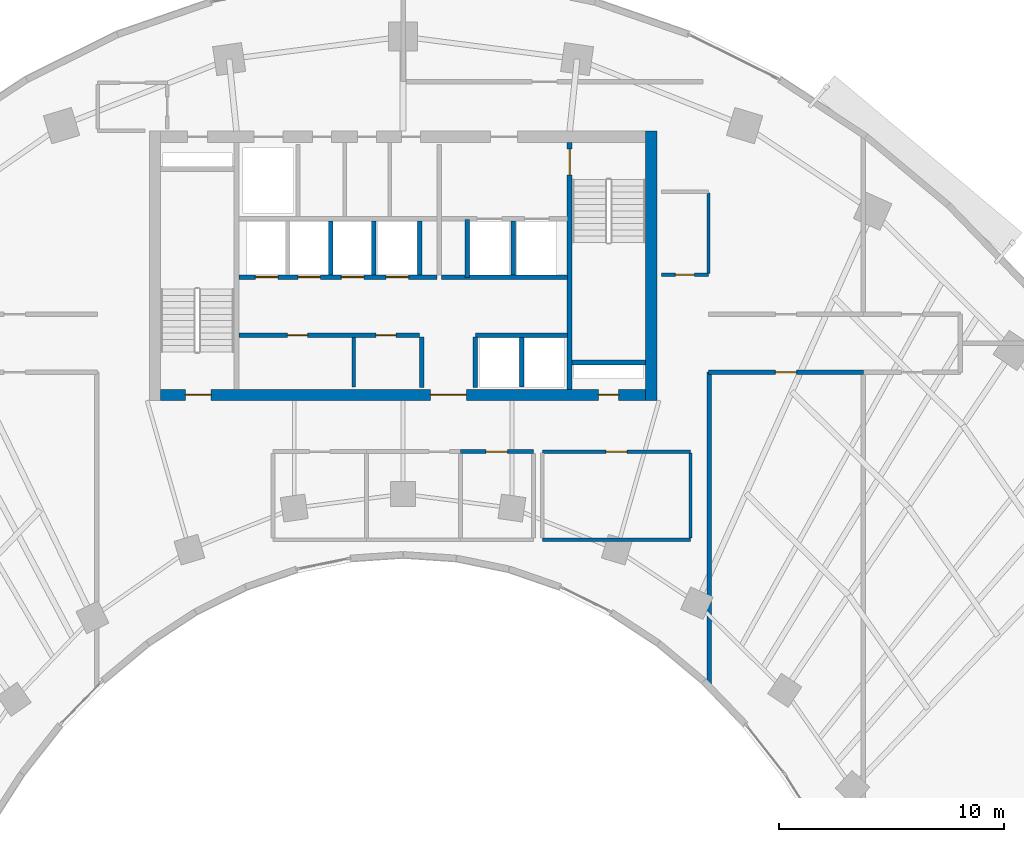
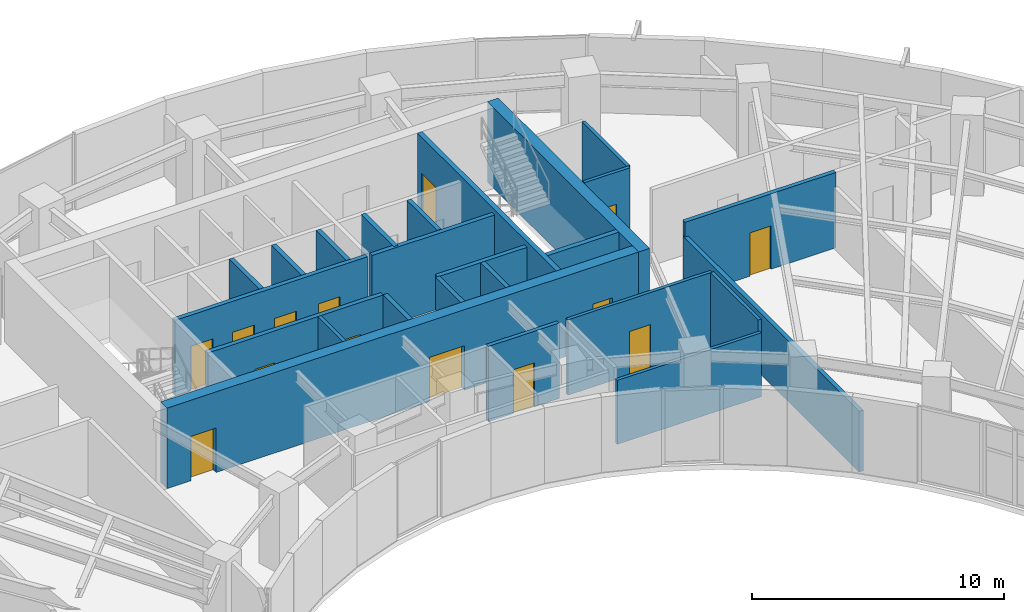
# One storey, part 9 of 14: 25 walls, 14 doors, 14 openings.
"""IFC4 building model written with IfcOpenShell, lengths in metres."""

from ifc_helpers import new_model, si_unit, direction, frame, frame_2d, origin, place, context, subcontext, project, spatial, rectangle, extrude, source, transform, mapped, material, layer, layer_set, type_object, type_shapes, element, fill, save


model = new_model("IFC4")

# Units and contexts
model_context = context("Model", 3, precision=1e-05, world=origin(), true_north=direction((0.0, 1.0)))
body_context = subcontext(model_context, "Body", "Model", "MODEL_VIEW")
ifc_project = project(units=[si_unit("LENGTHUNIT", "METRE"), si_unit("AREAUNIT", "SQUARE_METRE"), si_unit("VOLUMEUNIT", "CUBIC_METRE"), si_unit("PLANEANGLEUNIT", "RADIAN"), si_unit("MASSUNIT", "GRAM", prefix="KILO")], contexts=[model_context])

# Site, building, storey
site_placement = place(None, origin())
site = spatial("IfcSite", under=ifc_project, at=site_placement, CompositionType="ELEMENT")
building_placement = place(site_placement, origin())
building = spatial("IfcBuilding", under=site, at=building_placement, Name="Breltana Convention Tower", CompositionType="ELEMENT")
storey_placement = place(building_placement, frame((0.0, 0.0, 111.60009765625)))
storey = spatial("IfcBuildingStorey", under=building, at=storey_placement, Name="L26", CompositionType="ELEMENT", Elevation=111.60009765625)

# Wall
ifc_material_1 = material(Name="Concrete C60/75", Category="concrete")
ifc_layer_1 = layer(ifc_material_1, 0.5, Name="Concrete C60/75")
ifc_layer_set_1 = layer_set([ifc_layer_1], Name="Concrete C60/75")
wall_type_1 = type_object("IfcWallType", Name="SW-CORE-500", PredefinedType="SHEAR", material=ifc_layer_set_1)
shared_shape_1 = source(origin(), body_context, "Body", "SweptSolid", [
    extrude(rectangle(XDim=12.0, YDim=0.5, at=frame_2d((6.0, 0.0))), origin(), (0.0, 0.0, 1.0), 3.89990234375),
])
wall_1_placement = place(storey_placement, frame((59.050048828125, 60.199951171875, 0.0), z_axis=(0.0, 0.0, 1.0), x_axis=(0.0, 1.0, 0.0)))
element("IfcWall", 1, at=wall_1_placement, inside=storey, type_object=wall_type_1, Name="L26 East Core Shear Wall", PredefinedType="SHEAR", context=body_context, shape_type="MappedRepresentation", body=[
    mapped(shared_shape_1, transform((0.0, 0.0, 0.0), scale=1.0)),
])

# Wall, openings, doors
shared_shape_2 = source(origin(), body_context, "Body", "SweptSolid", [
    extrude(rectangle(XDim=21.60009765625, YDim=0.5, at=frame_2d((10.800048828125, 0.0))), origin(), (0.0, 0.0, 1.0), 3.89990234375),
])
wall_2_placement = place(storey_placement, frame((37.199951171875, 60.449951171875, 0.0), z_axis=(0.0, 0.0, 1.0), x_axis=(1.0, 0.0, 0.0)))
wall_2 = element("IfcWall", 2, at=wall_2_placement, inside=storey, type_object=wall_type_1, Name="L26 South Core Shear Wall", PredefinedType="SHEAR", context=body_context, shape_type="MappedRepresentation", body=[
    mapped(shared_shape_2, transform((0.0, 0.0, 0.0), scale=1.0)),
])
opening_1_placement = place(wall_2_placement, frame((1.10009765625, 0.0, 0.0)))
opening_1 = element("IfcOpeningElement", 3, at=opening_1_placement, cuts=wall_2, Name="Opening D-11", PredefinedType="OPENING", context=body_context, shape_type="SweptSolid", body=[
    extrude(rectangle(XDim=1.14990234375, YDim=2.14990234375, at=frame_2d((0.574951171875, 1.074951171875))), frame((0.0, 0.260009765625, 0.0), z_axis=(0.0, -1.0, 0.0), x_axis=(1.0, 0.0, 0.0)), (0.0, 0.0, 1.0), 0.52001953125),
])
opening_2_placement = place(wall_2_placement, frame((19.5, 0.0, 0.0)))
opening_2 = element("IfcOpeningElement", 4, at=opening_2_placement, cuts=wall_2, Name="Opening D-18", PredefinedType="OPENING", context=body_context, shape_type="SweptSolid", body=[
    extrude(rectangle(XDim=0.89990234375, YDim=2.10009765625, at=frame_2d((0.449951171875, 1.050048828125))), frame((0.0, 0.260009765625, 0.0), z_axis=(0.0, -1.0, 0.0), x_axis=(1.0, 0.0, 0.0)), (0.0, 0.0, 1.0), 0.52001953125),
])
opening_3_placement = place(wall_2_placement, frame((12.02001953125, 0.0, 0.0)))
opening_3 = element("IfcOpeningElement", 5, at=opening_3_placement, cuts=wall_2, Name="Opening D-02", PredefinedType="OPENING", context=body_context, shape_type="SweptSolid", body=[
    extrude(rectangle(XDim=1.60009765625, YDim=2.14990234375, at=frame_2d((0.800048828125, 1.074951171875))), frame((0.0, 0.260009765625, 0.0), z_axis=(0.0, -1.0, 0.0), x_axis=(1.0, 0.0, 0.0)), (0.0, 0.0, 1.0), 0.52001953125),
])
ifc_material_2 = material(Name="Steel Stair Exit Door", Category="steel")
door_type_1 = type_object("IfcDoorType", Name="DR-FD120-1150", OperationType="NOTDEFINED", PredefinedType="DOOR", material=ifc_material_2)
shared_shape_3 = source(origin(), body_context, "Body", "SweptSolid", [
    extrude(rectangle(XDim=1.14990234375, YDim=2.14990234375, at=frame_2d((0.574951171875, 1.074951171875))), frame((0.0, 0.02490234375, 0.0), z_axis=(0.0, -1.0, 0.0), x_axis=(1.0, 0.0, 0.0)), (0.0, 0.0, 1.0), 0.050048828125),
])
type_shapes(door_type_1, [shared_shape_3])
door_1_placement = place(opening_1_placement, origin())
door_1 = element("IfcDoor", 6, at=door_1_placement, inside=storey, type_object=door_type_1, Name="L26 interior door D-L26-ST1", OperationType="SINGLE_SWING_LEFT", OverallHeight=2.14990234375, OverallWidth=1.14990234375, PredefinedType="DOOR", context=body_context, shape_type="MappedRepresentation", body=[
    mapped(shared_shape_3, transform((0.0, 0.0, 0.0), scale=1.0)),
])
fill(opening_1, door_1)
ifc_material_3 = material(Name="Steel Riser Fire Door", Category="steel")
door_type_2 = type_object("IfcDoorType", Name="DR-FD60-900", OperationType="NOTDEFINED", PredefinedType="DOOR", material=ifc_material_3)
shared_shape_4 = source(origin(), body_context, "Body", "SweptSolid", [
    extrude(rectangle(XDim=0.89990234375, YDim=2.10009765625, at=frame_2d((0.449951171875, 1.050048828125))), frame((0.0, 0.02490234375, 0.0), z_axis=(0.0, -1.0, 0.0), x_axis=(1.0, 0.0, 0.0)), (0.0, 0.0, 1.0), 0.050048828125),
])
type_shapes(door_type_2, [shared_shape_4])
door_2_placement = place(opening_2_placement, origin())
door_2 = element("IfcDoor", 7, at=door_2_placement, inside=storey, type_object=door_type_2, Name="L26 Core Riser Access Door D-L26-RS2", OperationType="SINGLE_SWING_RIGHT", OverallHeight=2.10009765625, OverallWidth=0.89990234375, PredefinedType="DOOR", context=body_context, shape_type="MappedRepresentation", body=[
    mapped(shared_shape_4, transform((0.0, 0.0, 0.0), scale=1.0)),
])
fill(opening_2, door_2)
ifc_material_4 = material(Name="Steel Glazed Smoke-Control Door", Category="steel")
door_type_3 = type_object("IfcDoorType", Name="DR-DBL-FD90-1600", OperationType="DOUBLE_DOOR_SINGLE_SWING", PredefinedType="DOOR", material=ifc_material_4)
shared_shape_5 = source(origin(), body_context, "Body", "SweptSolid", [
    extrude(rectangle(XDim=1.60009765625, YDim=2.14990234375, at=frame_2d((0.800048828125, 1.074951171875))), frame((0.0, 0.02490234375, 0.0), z_axis=(0.0, -1.0, 0.0), x_axis=(1.0, 0.0, 0.0)), (0.0, 0.0, 1.0), 0.050048828125),
])
type_shapes(door_type_3, [shared_shape_5])
door_3_placement = place(opening_3_placement, origin())
door_3 = element("IfcDoor", 8, at=door_3_placement, inside=storey, type_object=door_type_3, Name="L26 interior door D-L26-LLB-S", OperationType="DOUBLE_DOOR_SINGLE_SWING", OverallHeight=2.14990234375, OverallWidth=1.60009765625, PredefinedType="DOOR", context=body_context, shape_type="MappedRepresentation", body=[
    mapped(shared_shape_5, transform((0.0, 0.0, 0.0), scale=1.0)),
])
fill(opening_3, door_3)

# Wall
ifc_material_5 = material(Name="Concrete C50/60", Category="concrete")
ifc_layer_2 = layer(ifc_material_5, 0.39990234375, Name="Concrete C50/60")
ifc_layer_set_2 = layer_set([ifc_layer_2], Name="Concrete C50/60")
wall_type_2 = type_object("IfcWallType", Name="SW-CORE-400", PredefinedType="SHEAR", material=ifc_layer_set_2)
shared_shape_6 = source(origin(), body_context, "Body", "SweptSolid", [
    extrude(rectangle(XDim=3.27001953125, YDim=0.219970703125, at=frame_2d((1.635009765625, 0.0))), origin(), (0.0, 0.0, 1.0), 3.89990234375),
])
wall_3_placement = place(storey_placement, frame((55.530029296875, 61.889892578125, 0.0), z_axis=(0.0, 0.0, 1.0), x_axis=(1.0, 0.0, 0.0)))
element("IfcWall", 9, at=wall_3_placement, inside=storey, type_object=wall_type_2, Name="L26 ST-2 Stairwell South Bearing Wall", PredefinedType="SHEAR", context=body_context, shape_type="MappedRepresentation", body=[
    mapped(shared_shape_6, transform((0.0, 0.0, 0.0), scale=1.0)),
])

# Wall, opening, door
shared_shape_7 = source(origin(), body_context, "Body", "SweptSolid", [
    extrude(rectangle(XDim=11.0, YDim=0.219970703125, at=frame_2d((5.5, 0.0))), origin(), (0.0, 0.0, 1.0), 3.89990234375),
])
wall_4_placement = place(storey_placement, frame((55.419921875, 60.699951171875, 0.0), z_axis=(0.0, 0.0, 1.0), x_axis=(0.0, 1.0, 0.0)))
wall_4 = element("IfcWall", 10, at=wall_4_placement, inside=storey, type_object=wall_type_2, Name="L26 Core East Stair Spine Wall", PredefinedType="SHEAR", context=body_context, shape_type="MappedRepresentation", body=[
    mapped(shared_shape_7, transform((0.0, 0.0, 0.0), scale=1.0)),
])
opening_4_placement = place(wall_4_placement, frame((9.544921875, 0.0, 0.0)))
opening_4 = element("IfcOpeningElement", 11, at=opening_4_placement, cuts=wall_4, Name="Opening D-11", PredefinedType="OPENING", context=body_context, shape_type="SweptSolid", body=[
    extrude(rectangle(XDim=1.14990234375, YDim=2.14990234375, at=frame_2d((0.574951171875, 1.074951171875))), frame((0.0, 0.1201171875, 0.0), z_axis=(0.0, -1.0, 0.0), x_axis=(1.0, 0.0, 0.0)), (0.0, 0.0, 1.0), 0.239990234375),
])
door_4_placement = place(opening_4_placement, origin())
door_4 = element("IfcDoor", 12, at=door_4_placement, inside=storey, type_object=door_type_1, Name="L26 interior door D-L26-ST2", OperationType="SINGLE_SWING_LEFT", OverallHeight=2.14990234375, OverallWidth=1.14990234375, PredefinedType="DOOR", context=body_context, shape_type="MappedRepresentation", body=[
    mapped(shared_shape_3, transform((0.0, 0.0, 0.0), scale=1.0)),
])
fill(opening_4, door_4)

# Walls
ifc_material_6 = material(Name="Autoclaved Aerated Concrete Block", Category="concrete")
ifc_layer_3 = layer(ifc_material_6, 0.199951171875, Name="Autoclaved Aerated Concrete Block")
ifc_layer_set_3 = layer_set([ifc_layer_3], Name="Autoclaved Aerated Concrete Block")
wall_type_3 = type_object("IfcWallType", Name="WL-SHAFT-200", PredefinedType="SOLIDWALL", material=ifc_layer_set_3)
shared_shape_8 = source(origin(), body_context, "Body", "SweptSolid", [
    extrude(rectangle(XDim=2.239990234375, YDim=0.199951171875, at=frame_2d((1.1201171875, 0.0))), origin(), (0.0, 0.0, 1.0), 3.64990234375),
])
for number, where, z_axis, x_axis, name in (
    (13, (48.820068359375, 60.780029296875, 0.0), (0.0, 0.0, 1.0), (0.0, 1.0, 0.0), "L26 interior partition W-L26-PORT-W"),
    (14, (51.219970703125, 60.780029296875, 0.0), (0.0, 0.0, 1.0), (0.0, 1.0, 0.0), "L26 interior partition W-L26-PORT-E"),
):
    element("IfcWall", number, at=place(storey_placement, frame(where, z_axis=z_axis, x_axis=x_axis)), inside=storey, type_object=wall_type_3, Name=name, PredefinedType="SOLIDWALL", context=body_context, shape_type="MappedRepresentation", body=[
        mapped(shared_shape_8, transform((0.0, 0.0, 0.0), scale=1.0)),
    ])
shared_shape_9 = source(origin(), body_context, "Body", "SweptSolid", [
    extrude(rectangle(XDim=5.6201171875, YDim=0.199951171875, at=frame_2d((2.81005859375, 0.0))), origin(), (0.0, 0.0, 1.0), 3.64990234375),
])
wall_5_placement = place(storey_placement, frame((49.699951171875, 65.679931640625, 0.0), z_axis=(0.0, 0.0, 1.0), x_axis=(1.0, 0.0, 0.0)))
element("IfcWall", 15, at=wall_5_placement, inside=storey, type_object=wall_type_3, Name="L26 interior partition W-L26-FL-S", PredefinedType="SOLIDWALL", context=body_context, shape_type="MappedRepresentation", body=[
    mapped(shared_shape_9, transform((0.0, 0.0, 0.0), scale=1.0)),
])
shared_shape_10 = source(origin(), body_context, "Body", "SweptSolid", [
    extrude(rectangle(XDim=2.580078125, YDim=0.199951171875, at=frame_2d((1.2900390625, 0.0))), origin(), (0.0, 0.0, 1.0), 3.64990234375),
])
wall_6_placement = place(storey_placement, frame((50.85009765625, 65.679931640625, 0.0), z_axis=(0.0, 0.0, 1.0), x_axis=(0.0, 1.0, 0.0)))
element("IfcWall", 16, at=wall_6_placement, inside=storey, type_object=wall_type_3, Name="L26 interior partition W-L26-FL-W", PredefinedType="SOLIDWALL", context=body_context, shape_type="MappedRepresentation", body=[
    mapped(shared_shape_10, transform((0.0, 0.0, 0.0), scale=1.0)),
])
shared_shape_11 = source(origin(), body_context, "Body", "SweptSolid", [
    extrude(rectangle(XDim=2.39990234375, YDim=0.199951171875, at=frame_2d((1.199951171875, 0.0))), origin(), (0.0, 0.0, 1.0), 3.64990234375),
])
for number, where, z_axis, x_axis, name in (
    (17, (52.89990234375, 65.800048828125, 0.0), (0.0, 0.0, 1.0), (0.0, 1.0, 0.0), "L26 interior partition W-L26-FL-DIV"),
    (18, (48.75, 65.800048828125, 0.0), (0.0, 0.0, 1.0), (0.0, 1.0, 0.0), "L26 interior partition W-L26-SH-M-END"),
    (19, (44.77001953125, 65.800048828125, 0.0), (0.0, 0.0, 1.0), (0.0, 1.0, 0.0), "L26 interior partition W-L26-SH-M-DIV2"),
    (20, (46.699951171875, 65.800048828125, 0.0), (0.0, 0.0, 1.0), (0.0, 1.0, 0.0), "L26 interior partition W-L26-SH-M-DIV3"),
):
    element("IfcWall", number, at=place(storey_placement, frame(where, z_axis=z_axis, x_axis=x_axis)), inside=storey, type_object=wall_type_3, Name=name, PredefinedType="SOLIDWALL", context=body_context, shape_type="MappedRepresentation", body=[
        mapped(shared_shape_11, transform((0.0, 0.0, 0.0), scale=1.0)),
    ])

# Wall, openings, doors
shared_shape_12 = source(origin(), body_context, "Body", "SweptSolid", [
    extrude(rectangle(XDim=8.800048828125, YDim=0.199951171875, at=frame_2d((4.39990234375, 0.0))), origin(), (0.0, 0.0, 1.0), 3.64990234375),
])
wall_7_placement = place(storey_placement, frame((40.699951171875, 65.699951171875, 0.0), z_axis=(0.0, 0.0, 1.0), x_axis=(1.0, 0.0, 0.0)))
wall_7 = element("IfcWall", 21, at=wall_7_placement, inside=storey, type_object=wall_type_3, Name="L26 interior partition W-L26-SH-M-FRONT", PredefinedType="SOLIDWALL", context=body_context, shape_type="MappedRepresentation", body=[
    mapped(shared_shape_12, transform((0.0, 0.0, 0.0), scale=1.0)),
])
opening_5_placement = place(wall_7_placement, frame((0.719970703125, 0.0, 0.0)))
opening_5 = element("IfcOpeningElement", 22, at=opening_5_placement, cuts=wall_7, Name="Opening LD-04", PredefinedType="OPENING", context=body_context, shape_type="SweptSolid", body=[
    extrude(rectangle(XDim=1.0, YDim=2.14990234375, at=frame_2d((0.5, 1.074951171875))), frame((0.0, 0.10986328125, 0.0), z_axis=(0.0, -1.0, 0.0), x_axis=(1.0, 0.0, 0.0)), (0.0, 0.0, 1.0), 0.219970703125),
])
opening_6_placement = place(wall_7_placement, frame((2.6201171875, 0.0, 0.0)))
opening_6 = element("IfcOpeningElement", 23, at=opening_6_placement, cuts=wall_7, Name="Opening LD-04", PredefinedType="OPENING", context=body_context, shape_type="SweptSolid", body=[
    extrude(rectangle(XDim=1.0, YDim=2.14990234375, at=frame_2d((0.5, 1.074951171875))), frame((0.0, 0.10986328125, 0.0), z_axis=(0.0, -1.0, 0.0), x_axis=(1.0, 0.0, 0.0)), (0.0, 0.0, 1.0), 0.219970703125),
])
opening_7_placement = place(wall_7_placement, frame((4.550048828125, 0.0, 0.0)))
opening_7 = element("IfcOpeningElement", 24, at=opening_7_placement, cuts=wall_7, Name="Opening LD-04", PredefinedType="OPENING", context=body_context, shape_type="SweptSolid", body=[
    extrude(rectangle(XDim=1.0, YDim=2.14990234375, at=frame_2d((0.5, 1.074951171875))), frame((0.0, 0.10986328125, 0.0), z_axis=(0.0, -1.0, 0.0), x_axis=(1.0, 0.0, 0.0)), (0.0, 0.0, 1.0), 0.219970703125),
])
opening_8_placement = place(wall_7_placement, frame((6.550048828125, 0.0, 0.0)))
opening_8 = element("IfcOpeningElement", 25, at=opening_8_placement, cuts=wall_7, Name="Opening LD-04", PredefinedType="OPENING", context=body_context, shape_type="SweptSolid", body=[
    extrude(rectangle(XDim=1.0, YDim=2.14990234375, at=frame_2d((0.5, 1.074951171875))), frame((0.0, 0.10986328125, 0.0), z_axis=(0.0, -1.0, 0.0), x_axis=(1.0, 0.0, 0.0)), (0.0, 0.0, 1.0), 0.219970703125),
])
ifc_material_7 = material(Name="Stainless Steel Brushed", Category="steel")
door_type_4 = type_object("IfcDoorType", Name="DR-LD-PAX-1000", OperationType="DOUBLE_DOOR_SLIDING", PredefinedType="DOOR", material=ifc_material_7)
shared_shape_13 = source(origin(), body_context, "Body", "SweptSolid", [
    extrude(rectangle(XDim=1.0, YDim=2.14990234375, at=frame_2d((0.5, 1.074951171875))), frame((0.0, 0.02490234375, 0.0), z_axis=(0.0, -1.0, 0.0), x_axis=(1.0, 0.0, 0.0)), (0.0, 0.0, 1.0), 0.050048828125),
])
type_shapes(door_type_4, [shared_shape_13])
door_5_placement = place(opening_5_placement, origin())
door_5 = element("IfcDoor", 26, at=door_5_placement, inside=storey, type_object=door_type_4, Name="L26 Lift Landing Door D-L26-LD-M1", OperationType="DOUBLE_DOOR_SLIDING", OverallHeight=2.14990234375, OverallWidth=1.0, PredefinedType="DOOR", context=body_context, shape_type="MappedRepresentation", body=[
    mapped(shared_shape_13, transform((0.0, 0.0, 0.0), scale=1.0)),
])
fill(opening_5, door_5)
door_6_placement = place(opening_6_placement, origin())
door_6 = element("IfcDoor", 27, at=door_6_placement, inside=storey, type_object=door_type_4, Name="L26 Lift Landing Door D-L26-LD-M2", OperationType="DOUBLE_DOOR_SLIDING", OverallHeight=2.14990234375, OverallWidth=1.0, PredefinedType="DOOR", context=body_context, shape_type="MappedRepresentation", body=[
    mapped(shared_shape_13, transform((0.0, 0.0, 0.0), scale=1.0)),
])
fill(opening_6, door_6)
door_7_placement = place(opening_7_placement, origin())
door_7 = element("IfcDoor", 28, at=door_7_placement, inside=storey, type_object=door_type_4, Name="L26 Lift Landing Door D-L26-LD-M3", OperationType="DOUBLE_DOOR_SLIDING", OverallHeight=2.14990234375, OverallWidth=1.0, PredefinedType="DOOR", context=body_context, shape_type="MappedRepresentation", body=[
    mapped(shared_shape_13, transform((0.0, 0.0, 0.0), scale=1.0)),
])
fill(opening_7, door_7)
door_8_placement = place(opening_8_placement, origin())
door_8 = element("IfcDoor", 29, at=door_8_placement, inside=storey, type_object=door_type_4, Name="L26 Lift Landing Door D-L26-LD-M4", OperationType="DOUBLE_DOOR_SLIDING", OverallHeight=2.14990234375, OverallWidth=1.0, PredefinedType="DOOR", context=body_context, shape_type="MappedRepresentation", body=[
    mapped(shared_shape_13, transform((0.0, 0.0, 0.0), scale=1.0)),
])
fill(opening_8, door_8)

shared_shape_14 = source(origin(), body_context, "Body", "SweptSolid", [
    extrude(rectangle(XDim=8.02001953125, YDim=0.199951171875, at=frame_2d((4.010009765625, 0.0))), origin(), (0.0, 0.0, 1.0), 3.64990234375),
])
wall_8_placement = place(storey_placement, frame((40.699951171875, 63.10009765625, 0.0), z_axis=(0.0, 0.0, 1.0), x_axis=(1.0, 0.0, 0.0)))
wall_8 = element("IfcWall", 30, at=wall_8_placement, inside=storey, type_object=wall_type_3, Name="L26 interior partition W-L26-SH-S-FRONT", PredefinedType="SOLIDWALL", context=body_context, shape_type="MappedRepresentation", body=[
    mapped(shared_shape_14, transform((0.0, 0.0, 0.0), scale=1.0)),
])
opening_9_placement = place(wall_8_placement, frame((2.14990234375, 0.0, 0.0)))
opening_9 = element("IfcOpeningElement", 31, at=opening_9_placement, cuts=wall_8, Name="Opening D-18", PredefinedType="OPENING", context=body_context, shape_type="SweptSolid", body=[
    extrude(rectangle(XDim=0.89990234375, YDim=2.10009765625, at=frame_2d((0.449951171875, 1.050048828125))), frame((0.0, 0.10986328125, 0.0), z_axis=(0.0, -1.0, 0.0), x_axis=(1.0, 0.0, 0.0)), (0.0, 0.0, 1.0), 0.219970703125),
])
opening_10_placement = place(wall_8_placement, frame((6.090087890625, 0.0, 0.0)))
opening_10 = element("IfcOpeningElement", 32, at=opening_10_placement, cuts=wall_8, Name="Opening D-18", PredefinedType="OPENING", context=body_context, shape_type="SweptSolid", body=[
    extrude(rectangle(XDim=0.89990234375, YDim=2.10009765625, at=frame_2d((0.449951171875, 1.050048828125))), frame((0.0, 0.10986328125, 0.0), z_axis=(0.0, -1.0, 0.0), x_axis=(1.0, 0.0, 0.0)), (0.0, 0.0, 1.0), 0.219970703125),
])
door_9_placement = place(opening_9_placement, origin())
door_9 = element("IfcDoor", 33, at=door_9_placement, inside=storey, type_object=door_type_2, Name="L26 interior door D-L26-LV7-B1A", OperationType="SINGLE_SWING_LEFT", OverallHeight=2.10009765625, OverallWidth=0.89990234375, PredefinedType="DOOR", context=body_context, shape_type="MappedRepresentation", body=[
    mapped(shared_shape_4, transform((0.0, 0.0, 0.0), scale=1.0)),
])
fill(opening_9, door_9)
door_10_placement = place(opening_10_placement, origin())
door_10 = element("IfcDoor", 34, at=door_10_placement, inside=storey, type_object=door_type_2, Name="L26 interior door D-L26-LV7-B1B", OperationType="SINGLE_SWING_RIGHT", OverallHeight=2.10009765625, OverallWidth=0.89990234375, PredefinedType="DOOR", context=body_context, shape_type="MappedRepresentation", body=[
    mapped(shared_shape_4, transform((0.0, 0.0, 0.0), scale=1.0)),
])
fill(opening_10, door_10)

# Walls
shared_shape_15 = source(origin(), body_context, "Body", "SweptSolid", [
    extrude(rectangle(XDim=4.10009765625, YDim=0.199951171875, at=frame_2d((2.050048828125, 0.0))), origin(), (0.0, 0.0, 1.0), 3.64990234375),
])
wall_9_placement = place(storey_placement, frame((51.219970703125, 63.10009765625, 0.0), z_axis=(0.0, 0.0, 1.0), x_axis=(1.0, 0.0, 0.0)))
element("IfcWall", 35, at=wall_9_placement, inside=storey, type_object=wall_type_3, Name="L26 interior partition W-L26-SH-X-FRONT", PredefinedType="SOLIDWALL", context=body_context, shape_type="MappedRepresentation", body=[
    mapped(shared_shape_15, transform((0.0, 0.0, 0.0), scale=1.0)),
])
shared_shape_16 = source(origin(), body_context, "Body", "SweptSolid", [
    extrude(rectangle(XDim=2.199951171875, YDim=0.199951171875, at=frame_2d((1.10009765625, 0.0))), origin(), (0.0, 0.0, 1.0), 3.64990234375),
])
wall_10_placement = place(storey_placement, frame((53.280029296875, 60.800048828125, 0.0), z_axis=(0.0, 0.0, 1.0), x_axis=(0.0, 1.0, 0.0)))
element("IfcWall", 36, at=wall_10_placement, inside=storey, type_object=wall_type_3, Name="L26 interior partition W-L26-SH-X-DIV", PredefinedType="SOLIDWALL", context=body_context, shape_type="MappedRepresentation", body=[
    mapped(shared_shape_16, transform((0.0, 0.0, 0.0), scale=1.0)),
])

# Wall, opening, door
ifc_material_8 = material(Name="Moisture-Resistant Gypsum Chase Wall")
ifc_layer_4 = layer(ifc_material_8, 0.179931640625, Name="Moisture-Resistant Gypsum Chase Wall")
ifc_layer_set_4 = layer_set([ifc_layer_4], Name="Moisture-Resistant Gypsum Chase Wall")
wall_type_4 = type_object("IfcWallType", Name="WL-PLUMB-180", PredefinedType="PLUMBINGWALL", material=ifc_layer_set_4)
shared_shape_17 = source(origin(), body_context, "Body", "SweptSolid", [
    extrude(rectangle(XDim=3.248046875, YDim=0.179931640625, at=frame_2d((1.6240234375, 0.0))), origin(), (0.0, 0.0, 1.0), 3.64990234375),
])
wall_11_placement = place(storey_placement, frame((50.552001953125, 57.919921875, 0.0), z_axis=(0.0, 0.0, 1.0), x_axis=(1.0, 0.0, 0.0)))
wall_11 = element("IfcWall", 37, at=wall_11_placement, inside=storey, type_object=wall_type_4, Name="L26 interior partition W-L26-WCA-N", PredefinedType="PLUMBINGWALL", context=body_context, shape_type="MappedRepresentation", body=[
    mapped(shared_shape_17, transform((0.0, 0.0, 0.0), scale=1.0)),
])
opening_11_placement = place(wall_11_placement, frame((1.14892578125, 0.0, 0.0)))
opening_11 = element("IfcOpeningElement", 38, at=opening_11_placement, cuts=wall_11, Name="Opening D-16", PredefinedType="OPENING", context=body_context, shape_type="SweptSolid", body=[
    extrude(rectangle(XDim=0.949951171875, YDim=2.1201171875, at=frame_2d((0.47509765625, 1.06005859375))), frame((0.0, 0.10009765625, 0.0), z_axis=(0.0, -1.0, 0.0), x_axis=(1.0, 0.0, 0.0)), (0.0, 0.0, 1.0), 0.199951171875),
])
ifc_material_9 = material(Name="Timber Laminate Accessible Door", Category="wood")
door_type_5 = type_object("IfcDoorType", Name="DR-ACC-950", OperationType="NOTDEFINED", PredefinedType="DOOR", material=ifc_material_9)
shared_shape_18 = source(origin(), body_context, "Body", "SweptSolid", [
    extrude(rectangle(XDim=0.949951171875, YDim=2.1201171875, at=frame_2d((0.47509765625, 1.06005859375))), frame((0.0, 0.02490234375, 0.0), z_axis=(0.0, -1.0, 0.0), x_axis=(1.0, 0.0, 0.0)), (0.0, 0.0, 1.0), 0.050048828125),
])
type_shapes(door_type_5, [shared_shape_18])
door_11_placement = place(opening_11_placement, origin())
door_11 = element("IfcDoor", 39, at=door_11_placement, inside=storey, type_object=door_type_5, Name="L26 interior door D-L26-WCA", OperationType="SINGLE_SWING_LEFT", OverallHeight=2.1201171875, OverallWidth=0.949951171875, PredefinedType="DOOR", context=body_context, shape_type="MappedRepresentation", body=[
    mapped(shared_shape_18, transform((0.0, 0.0, 0.0), scale=1.0)),
])
fill(opening_11, door_11)

# Wall
ifc_material_10 = material(Name="Gypsum Acoustic Drywall Partition")
ifc_layer_5 = layer(ifc_material_10, 0.14990234375, Name="Gypsum Acoustic Drywall Partition")
ifc_layer_set_5 = layer_set([ifc_layer_5], Name="Gypsum Acoustic Drywall Partition")
wall_type_5 = type_object("IfcWallType", Name="WL-PART-150", PredefinedType="PARTITIONING", material=ifc_layer_set_5)
shared_shape_19 = source(origin(), body_context, "Body", "SweptSolid", [
    extrude(rectangle(XDim=6.60009765625, YDim=0.14990234375, at=frame_2d((3.300048828125, 0.0))), origin(), (0.0, 0.0, 1.0), 3.094970703125),
])
wall_12_placement = place(storey_placement, frame((54.199951171875, 54.0, 0.0), z_axis=(0.0, 0.0, 1.0), x_axis=(1.0, 0.0, 0.0)))
element("IfcWall", 40, at=wall_12_placement, inside=storey, type_object=wall_type_5, Name="L26 interior partition W-L26-PNT-S", PredefinedType="PARTITIONING", context=body_context, shape_type="MappedRepresentation", body=[
    mapped(shared_shape_19, transform((0.0, 0.0, 0.0), scale=1.0)),
])

# Wall, opening, door
shared_shape_20 = source(origin(), body_context, "Body", "SweptSolid", [
    extrude(rectangle(XDim=6.60009765625, YDim=0.14990234375, at=frame_2d((3.300048828125, 0.0))), origin(), (0.0, 0.0, 1.0), 3.64990234375),
])
wall_13_placement = place(storey_placement, frame((54.199951171875, 57.919921875, 0.0), z_axis=(0.0, 0.0, 1.0), x_axis=(1.0, 0.0, 0.0)))
wall_13 = element("IfcWall", 41, at=wall_13_placement, inside=storey, type_object=wall_type_5, Name="L26 interior partition W-L26-PNT-N", PredefinedType="PARTITIONING", context=body_context, shape_type="MappedRepresentation", body=[
    mapped(shared_shape_20, transform((0.0, 0.0, 0.0), scale=1.0)),
])
opening_12_placement = place(wall_13_placement, frame((2.824951171875, 0.0, 0.0)))
opening_12 = element("IfcOpeningElement", 42, at=opening_12_placement, cuts=wall_13, Name="Opening D-17", PredefinedType="OPENING", context=body_context, shape_type="SweptSolid", body=[
    extrude(rectangle(XDim=0.949951171875, YDim=2.10009765625, at=frame_2d((0.47509765625, 1.050048828125))), frame((0.0, 0.0849609375, 0.0), z_axis=(0.0, -1.0, 0.0), x_axis=(1.0, 0.0, 0.0)), (0.0, 0.0, 1.0), 0.169921875),
])
ifc_material_11 = material(Name="Timber Oak Veneer Door", Category="wood")
door_type_6 = type_object("IfcDoorType", Name="DR-INT-950", OperationType="NOTDEFINED", PredefinedType="DOOR", material=ifc_material_11)
shared_shape_21 = source(origin(), body_context, "Body", "SweptSolid", [
    extrude(rectangle(XDim=0.949951171875, YDim=2.10009765625, at=frame_2d((0.47509765625, 1.050048828125))), frame((0.0, 0.02490234375, 0.0), z_axis=(0.0, -1.0, 0.0), x_axis=(1.0, 0.0, 0.0)), (0.0, 0.0, 1.0), 0.050048828125),
])
type_shapes(door_type_6, [shared_shape_21])
door_12_placement = place(opening_12_placement, origin())
door_12 = element("IfcDoor", 43, at=door_12_placement, inside=storey, type_object=door_type_6, Name="L26 interior door D-L26-PNT", OperationType="SINGLE_SWING_RIGHT", OverallHeight=2.10009765625, OverallWidth=0.949951171875, PredefinedType="DOOR", context=body_context, shape_type="MappedRepresentation", body=[
    mapped(shared_shape_21, transform((0.0, 0.0, 0.0), scale=1.0)),
])
fill(opening_12, door_12)

# Walls
shared_shape_22 = source(origin(), body_context, "Body", "SweptSolid", [
    extrude(rectangle(XDim=3.78515625, YDim=0.14990234375, at=frame_2d((1.892578125, 0.0))), origin(), (0.0, 0.0, 1.0), 3.64990234375),
])
wall_14_placement = place(storey_placement, frame((60.800048828125, 54.0673828125, 0.0), z_axis=(0.0, 0.0, 1.0), x_axis=(0.0, 1.0, 0.0)))
element("IfcWall", 44, at=wall_14_placement, inside=storey, type_object=wall_type_5, Name="L26 interior partition W-L26-PNT-E", PredefinedType="PARTITIONING", context=body_context, shape_type="MappedRepresentation", body=[
    mapped(shared_shape_22, transform((0.0, 0.0, 0.0), scale=1.0)),
])
shared_shape_23 = source(origin(), body_context, "Body", "SweptSolid", [
    extrude(rectangle(XDim=2.199951171875, YDim=0.14990234375, at=frame_2d((1.10009765625, 0.0))), origin(), (0.0, 0.0, 1.0), 3.64990234375),
])
wall_15_placement = place(storey_placement, frame((45.800048828125, 60.800048828125, 0.0), z_axis=(0.0, 0.0, 1.0), x_axis=(0.0, 1.0, 0.0)))
element("IfcWall", 45, at=wall_15_placement, inside=storey, type_object=wall_type_5, Name="L26 interior partition W-L26-LV7-B1-DIV", PredefinedType="PARTITIONING", context=body_context, shape_type="MappedRepresentation", body=[
    mapped(shared_shape_23, transform((0.0, 0.0, 0.0), scale=1.0)),
])

# Wall, opening, door
shared_shape_24 = source(origin(), body_context, "Body", "SweptSolid", [
    extrude(rectangle(XDim=2.10009765625, YDim=0.14990234375, at=frame_2d((1.050048828125, 0.0))), origin(), (0.0, 0.0, 1.0), 3.64990234375),
])
wall_16_placement = place(storey_placement, frame((59.5, 65.800048828125, 0.0), z_axis=(0.0, 0.0, 1.0), x_axis=(1.0, 0.0, 0.0)))
wall_16 = element("IfcWall", 46, at=wall_16_placement, inside=storey, type_object=wall_type_5, Name="L26 interior partition W-L26-CRSE-S", PredefinedType="PARTITIONING", context=body_context, shape_type="MappedRepresentation", body=[
    mapped(shared_shape_24, transform((0.0, 0.0, 0.0), scale=1.0)),
])
opening_13_placement = place(wall_16_placement, frame((0.625, 0.0, 0.0)))
opening_13 = element("IfcOpeningElement", 47, at=opening_13_placement, cuts=wall_16, Name="Opening D-20", PredefinedType="OPENING", context=body_context, shape_type="SweptSolid", body=[
    extrude(rectangle(XDim=0.85009765625, YDim=2.10009765625, at=frame_2d((0.425048828125, 1.050048828125))), frame((0.0, 0.0849609375, 0.0), z_axis=(0.0, -1.0, 0.0), x_axis=(1.0, 0.0, 0.0)), (0.0, 0.0, 1.0), 0.169921875),
])
ifc_material_12 = material(Name="Steel Closet Fire Door", Category="steel")
door_type_7 = type_object("IfcDoorType", Name="DR-FD60-850", OperationType="NOTDEFINED", PredefinedType="DOOR", material=ifc_material_12)
shared_shape_25 = source(origin(), body_context, "Body", "SweptSolid", [
    extrude(rectangle(XDim=0.85009765625, YDim=2.10009765625, at=frame_2d((0.425048828125, 1.050048828125))), frame((0.0, 0.02490234375, 0.0), z_axis=(0.0, -1.0, 0.0), x_axis=(1.0, 0.0, 0.0)), (0.0, 0.0, 1.0), 0.050048828125),
])
type_shapes(door_type_7, [shared_shape_25])
door_13_placement = place(opening_13_placement, origin())
door_13 = element("IfcDoor", 48, at=door_13_placement, inside=storey, type_object=door_type_7, Name="L26 interior door D-L26-CRSE", OperationType="SINGLE_SWING_RIGHT", OverallHeight=2.10009765625, OverallWidth=0.85009765625, PredefinedType="DOOR", context=body_context, shape_type="MappedRepresentation", body=[
    mapped(shared_shape_25, transform((0.0, 0.0, 0.0), scale=1.0)),
])
fill(opening_13, door_13)

# Wall
shared_shape_26 = source(origin(), body_context, "Body", "SweptSolid", [
    extrude(rectangle(XDim=3.565185546875, YDim=0.14990234375, at=frame_2d((1.78271484375, 0.0))), origin(), (0.0, 0.0, 1.0), 3.64990234375),
])
wall_17_placement = place(storey_placement, frame((61.60009765625, 65.867431640625, 0.0), z_axis=(0.0, 0.0, 1.0), x_axis=(0.0, 1.0, 0.0)))
element("IfcWall", 49, at=wall_17_placement, inside=storey, type_object=wall_type_5, Name="L26 interior partition W-L26-CRSE-E", PredefinedType="PARTITIONING", context=body_context, shape_type="MappedRepresentation", body=[
    mapped(shared_shape_26, transform((0.0, 0.0, 0.0), scale=1.0)),
])

# Wall, opening, door
ifc_material_13 = material(Name="Gypsum Acoustic Hotel Wall")
ifc_layer_6 = layer(ifc_material_13, 0.195068359375, Name="Gypsum Acoustic Hotel Wall")
ifc_layer_set_6 = layer_set([ifc_layer_6], Name="Gypsum Acoustic Hotel Wall")
wall_type_6 = type_object("IfcWallType", Name="WL-HOTEL-200", PredefinedType="PARTITIONING", material=ifc_layer_set_6)
shared_shape_27 = source(origin(), body_context, "Body", "SweptSolid", [
    extrude(rectangle(XDim=6.89990234375, YDim=0.195068359375, at=frame_2d((3.449951171875, 0.0))), origin(), (0.0, 0.0, 1.0), 3.64990234375),
])
wall_18_placement = place(storey_placement, frame((61.60009765625, 61.4599609375, 0.0), z_axis=(0.0, 0.0, 1.0), x_axis=(1.0, 0.0, 0.0)))
wall_18 = element("IfcWall", 50, at=wall_18_placement, inside=storey, type_object=wall_type_6, Name="L26 interior partition W-L26-ZES1-D", PredefinedType="PARTITIONING", context=body_context, shape_type="MappedRepresentation", body=[
    mapped(shared_shape_27, transform((0.0, 0.0, 0.0), scale=1.0)),
])
opening_14_placement = place(wall_18_placement, frame((2.97509765625, 0.0, 0.0)))
opening_14 = element("IfcOpeningElement", 51, at=opening_14_placement, cuts=wall_18, Name="Opening D-17", PredefinedType="OPENING", context=body_context, shape_type="SweptSolid", body=[
    extrude(rectangle(XDim=0.949951171875, YDim=2.10009765625, at=frame_2d((0.47509765625, 1.050048828125))), frame((0.0, 0.107421875, 0.0), z_axis=(0.0, -1.0, 0.0), x_axis=(1.0, 0.0, 0.0)), (0.0, 0.0, 1.0), 0.215087890625),
])
door_14_placement = place(opening_14_placement, origin())
door_14 = element("IfcDoor", 52, at=door_14_placement, inside=storey, type_object=door_type_6, Name="L26 interior door D-L26-ZES1", OperationType="SINGLE_SWING_LEFT", OverallHeight=2.10009765625, OverallWidth=0.949951171875, PredefinedType="DOOR", context=body_context, shape_type="MappedRepresentation", body=[
    mapped(shared_shape_21, transform((0.0, 0.0, 0.0), scale=1.0)),
])
fill(opening_14, door_14)

# Wall
shared_shape_28 = source(origin(), body_context, "Body", "SweptSolid", [
    extrude(rectangle(XDim=13.987548828125, YDim=0.195068359375, at=frame_2d((6.99365234375, 0.0))), origin(), (0.0, 0.0, 1.0), 2.94189453125),
])
wall_19_placement = place(storey_placement, frame((61.639892578125, 47.472412109375, 0.0), z_axis=(0.0, 0.0, 1.0), x_axis=(0.0, 1.0, 0.0)))
element("IfcWall", 53, at=wall_19_placement, inside=storey, type_object=wall_type_6, Name="L26 interior partition W-L26-ZODD-EC", PredefinedType="PARTITIONING", context=body_context, shape_type="MappedRepresentation", body=[
    mapped(shared_shape_28, transform((0.0, 0.0, 0.0), scale=1.0)),
])

save(model, "model.ifc")
